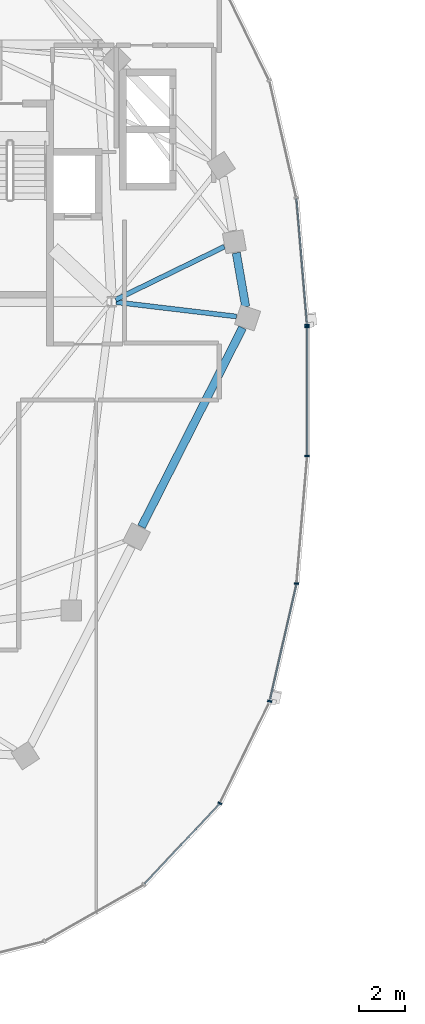
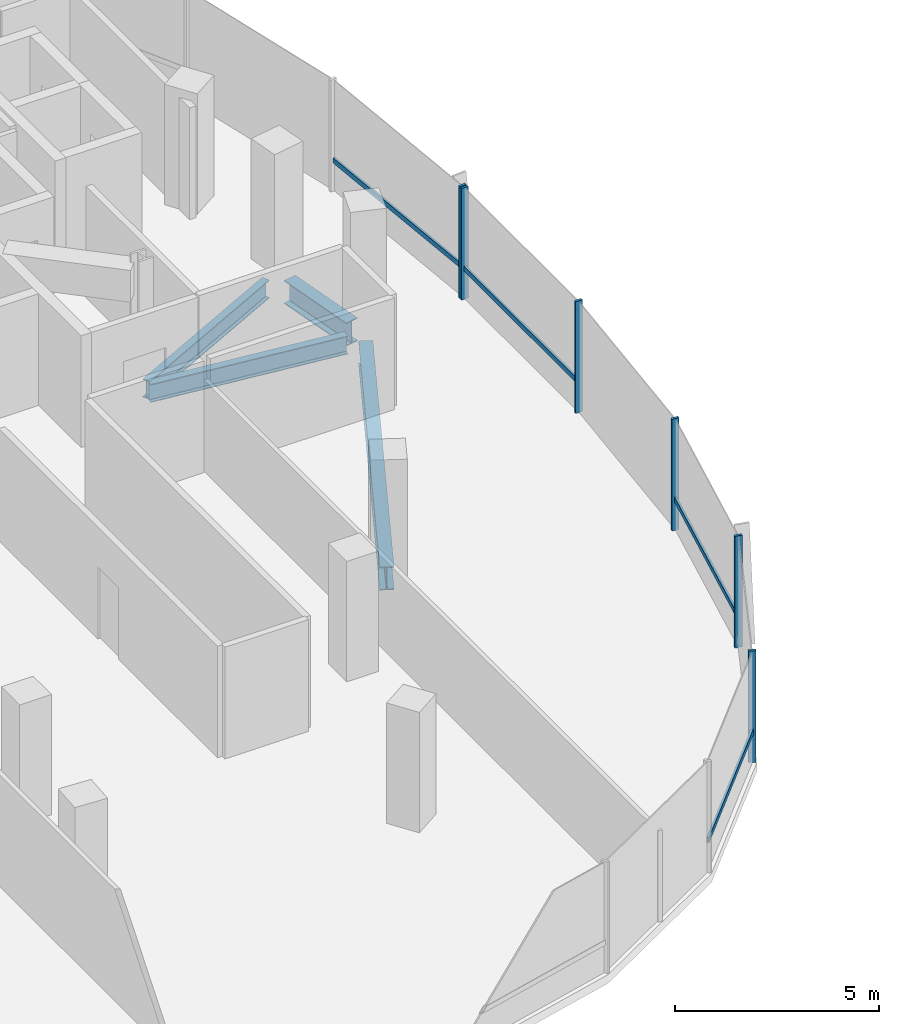
# One storey, part 5 of 25: 10 members, 4 beams, 2 elements without a shape of their own.
"""IFC4 building model written with IfcOpenShell, lengths in metres."""

from ifc_helpers import new_model, si_unit, direction, frame, origin, origin_2d, place, context, subcontext, project, spatial, rectangle, i_section, extrude, material, material_profile, profile_set, type_object, element, aggregate, save


model = new_model("IFC4")

# Units and contexts
model_context = context("Model", 3, precision=1e-05, world=origin(), true_north=direction((0.0, 1.0)))
body_context = subcontext(model_context, "Body", "Model", "MODEL_VIEW")
ifc_project = project(units=[si_unit("LENGTHUNIT", "METRE"), si_unit("AREAUNIT", "SQUARE_METRE"), si_unit("VOLUMEUNIT", "CUBIC_METRE"), si_unit("PLANEANGLEUNIT", "RADIAN"), si_unit("MASSUNIT", "GRAM", prefix="KILO"), si_unit("THERMODYNAMICTEMPERATUREUNIT", "KELVIN"), si_unit("POWERUNIT", "WATT")], contexts=[model_context])

# Site, building, storey
site_placement = place(None, origin())
site = spatial("IfcSite", under=ifc_project, at=site_placement, CompositionType="ELEMENT")
building_placement = place(site_placement, origin())
building = spatial("IfcBuilding", under=site, at=building_placement, Name="Cundina Bronze Exchange", CompositionType="ELEMENT")
storey_placement = place(building_placement, frame((0.0, 0.0, 191.800048828125)))
storey = spatial("IfcBuildingStorey", under=building, at=storey_placement, Name="L50", CompositionType="ELEMENT", Elevation=191.800048828125)

# Beams
ifc_material_1 = material(Name="Steel ASTM A992 Grade 50", Category="steel")
ifc_material_profile_1 = material_profile(ifc_material_1, i_section(OverallWidth=0.2119140625, OverallDepth=0.5439453125, WebThickness=0.01318359375, FlangeThickness=0.021240234375, FilletRadius=0.013916015625, at=origin_2d()), Name="W21X83", Category="steel")
ifc_profile_set_1 = profile_set([ifc_material_profile_1], Name="Steel ASTM A992 Grade 50")
beam_type_1 = type_object("IfcBeamType", Name="BM-FLR-W21A", PredefinedType="BEAM", material=ifc_profile_set_1)
beam_1_placement = place(storey_placement, frame((-21.25537109375, 3.876953125, -0.531982421875), z_axis=(0.993035696545, -0.11781385906, 0.0), x_axis=(0.11781385906, 0.993035696545, 0.0)))
element("IfcBeam", 1, at=beam_1_placement, inside=storey, type_object=beam_type_1, Name="L50 Leg W Radial Floor Beam 00", PredefinedType="BEAM", context=body_context, shape_type="SweptSolid", body=[
    extrude(i_section(OverallWidth=0.2119140625, OverallDepth=0.5439453125, WebThickness=0.01318359375, FlangeThickness=0.021240234375, FilletRadius=0.013916015625, at=origin_2d()), origin(), (0.0, 0.0, 1.0), 5.25732421875),
])
beam_2_placement = place(storey_placement, frame((-21.27392578125, 3.986083984375, -0.531982421875), z_axis=(0.898616200552, 0.438735597035, 0.0), x_axis=(-0.438735597035, 0.898616200552, 0.0)))
element("IfcBeam", 2, at=beam_2_placement, inside=storey, type_object=beam_type_1, Name="L50 Leg W Radial Floor Beam 01", PredefinedType="BEAM", context=body_context, shape_type="SweptSolid", body=[
    extrude(i_section(OverallWidth=0.2119140625, OverallDepth=0.5439453125, WebThickness=0.01318359375, FlangeThickness=0.021240234375, FilletRadius=0.013916015625, at=origin_2d()), origin(), (0.0, 0.0, 1.0), 5.241943359375),
])
ifc_material_profile_2 = material_profile(ifc_material_1, i_section(OverallWidth=0.35498046875, OverallDepth=0.695068359375, WebThickness=0.015380859375, FlangeThickness=0.02490234375, FilletRadius=0.01806640625, at=origin_2d()), Name="W27X146", Category="steel")
ifc_profile_set_2 = profile_set([ifc_material_profile_2], Name="Steel ASTM A992 Grade 50")
beam_type_2 = type_object("IfcBeamType", Name="BM-RING-W27", PredefinedType="USERDEFINED", material=ifc_profile_set_2)
beam_3_placement = place(storey_placement, frame((-15.6337890625, 3.680908203125, -0.607666015625), z_axis=(-0.171666718895, 0.985155083032, 0.0), x_axis=(-0.985155083032, -0.171666718895, 0.0)))
element("IfcBeam", 3, at=beam_3_placement, inside=storey, type_object=beam_type_2, Name="L50 W Perimeter Ring Girder 00", ObjectType="GIRDER", PredefinedType="USERDEFINED", context=body_context, shape_type="SweptSolid", body=[
    extrude(i_section(OverallWidth=0.35498046875, OverallDepth=0.695068359375, WebThickness=0.015380859375, FlangeThickness=0.02490234375, FilletRadius=0.01806640625, at=origin_2d()), origin(), (0.0, 0.0, 1.0), 2.37353515625),
])
beam_4_placement = place(storey_placement, frame((-20.154052734375, -5.864990234375, -0.607666015625), z_axis=(0.452834585354, 0.891594548159, 0.0), x_axis=(-0.891594548159, 0.452834585354, 0.0)))
element("IfcBeam", 4, at=beam_4_placement, inside=storey, type_object=beam_type_2, Name="L50 W Perimeter Ring Girder 13", ObjectType="GIRDER", PredefinedType="USERDEFINED", context=body_context, shape_type="SweptSolid", body=[
    extrude(i_section(OverallWidth=0.35498046875, OverallDepth=0.695068359375, WebThickness=0.015380859375, FlangeThickness=0.02490234375, FilletRadius=0.01806640625, at=origin_2d()), origin(), (0.0, 0.0, 1.0), 9.67919921875),
])

# Curtain wall, member
ifc_material_2 = material(Name="Anodised Bronze Aluminium 6063-T6", Category="aluminium")
curtain_wall_type = type_object("IfcCurtainWallType", Name="CWS-UPP-OFF", PredefinedType="NOTDEFINED", material=ifc_material_2)
curtain_wall_1_placement = place(storey_placement, origin())
curtain_wall_1 = element("IfcCurtainWall", 5, at=curtain_wall_1_placement, inside=storey, type_object=curtain_wall_type, Name="L50 CW-05 Curtain Wall Run CWR-L50-W1", PredefinedType="NOTDEFINED")
ifc_material_profile_3 = material_profile(ifc_material_2, rectangle(XDim=0.070068359375, YDim=0.18994140625, at=origin_2d()), Name="AL70X190", Category="aluminium")
ifc_profile_set_3 = profile_set([ifc_material_profile_3], Name="Anodised Bronze Aluminium 6063-T6")
member_type_1 = type_object("IfcMemberType", Name="CWM-MUL-190", PredefinedType="MULLION", material=ifc_profile_set_3)
member_1_placement = place(storey_placement, frame((-12.9697265625, 2.88330078125, 0.0), z_axis=(0.0, 0.0, 1.0), x_axis=(-0.083677843332, 0.99649285925, 0.0)))
member_1 = element("IfcMember", 6, at=member_1_placement, type_object=member_type_1, Name="CW-05 Mullion 1", PredefinedType="MULLION", context=body_context, shape_type="SweptSolid", body=[
    extrude(rectangle(XDim=0.070068359375, YDim=0.18994140625, at=origin_2d()), origin(), (0.0, 0.0, 1.0), 3.33984375),
])

# Curtain wall, members
curtain_wall_2_placement = place(storey_placement, origin())
curtain_wall_2 = element("IfcCurtainWall", 7, at=curtain_wall_2_placement, inside=storey, type_object=curtain_wall_type, Name="L50 CW-05 Curtain Wall Run CWR-L50-W4", PredefinedType="NOTDEFINED")
member_2_placement = place(storey_placement, frame((-16.754638671875, -17.866455078125, 0.0), z_axis=(0.0, 0.0, 1.0), x_axis=(0.440566004113, 0.897720221461, 0.0)))
member_2 = element("IfcMember", 8, at=member_2_placement, type_object=member_type_1, Name="CW-05 Mullion 4", PredefinedType="MULLION", context=body_context, shape_type="SweptSolid", body=[
    extrude(rectangle(XDim=0.070068359375, YDim=0.18994140625, at=origin_2d()), origin(), (0.0, 0.0, 1.0), 3.33984375),
])
member_3_placement = place(storey_placement, frame((-14.59228515625, -13.440673828125, 0.0), z_axis=(0.0, 0.0, 1.0), x_axis=(0.223250116011, 0.974761194191, 0.0)))
member_3 = element("IfcMember", 9, at=member_3_placement, type_object=member_type_1, Name="CW-05 Mullion 5", PredefinedType="MULLION", context=body_context, shape_type="SweptSolid", body=[
    extrude(rectangle(XDim=0.070068359375, YDim=0.18994140625, at=origin_2d()), origin(), (0.0, 0.0, 1.0), 3.33984375),
])
member_4_placement = place(storey_placement, frame((-13.427490234375, -8.33056640625, 0.0), z_axis=(0.0, 0.0, 1.0), x_axis=(0.083677843332, 0.99649285925, 0.0)))
member_4 = element("IfcMember", 10, at=member_4_placement, type_object=member_type_1, Name="CW-05 Mullion 6", PredefinedType="MULLION", context=body_context, shape_type="SweptSolid", body=[
    extrude(rectangle(XDim=0.070068359375, YDim=0.18994140625, at=origin_2d()), origin(), (0.0, 0.0, 1.0), 3.33984375),
])
member_5_placement = place(storey_placement, frame((-12.966064453125, -2.794921875, 0.0), z_axis=(0.0, 0.0, 1.0), x_axis=(0.0, 1.0, 0.0)))
member_5 = element("IfcMember", 11, at=member_5_placement, type_object=member_type_1, Name="CW-05 Mullion 7", PredefinedType="MULLION", context=body_context, shape_type="SweptSolid", body=[
    extrude(rectangle(XDim=0.070068359375, YDim=0.18994140625, at=origin_2d()), origin(), (0.0, 0.0, 1.0), 3.33984375),
])
member_6_placement = place(storey_placement, frame((-12.966064453125, 2.794921875, 0.0), z_axis=(0.0, 0.0, 1.0), x_axis=(0.0, 1.0, 0.0)))
member_6 = element("IfcMember", 12, at=member_6_placement, type_object=member_type_1, Name="CW-05 End Mullion", PredefinedType="MULLION", context=body_context, shape_type="SweptSolid", body=[
    extrude(rectangle(XDim=0.070068359375, YDim=0.18994140625, at=origin_2d()), origin(), (0.0, 0.0, 1.0), 3.33984375),
])

# Member
ifc_material_profile_4 = material_profile(ifc_material_2, rectangle(XDim=0.06494140625, YDim=0.14990234375, at=origin_2d()), Name="AL65X150", Category="aluminium")
ifc_profile_set_4 = profile_set([ifc_material_profile_4], Name="Anodised Bronze Aluminium 6063-T6")
member_type_2 = type_object("IfcMemberType", Name="CWM-TRN-150", PredefinedType="USERDEFINED", material=ifc_profile_set_4)
member_7_placement = place(storey_placement, frame((-12.972900390625, 2.921630859375, 0.919921875), z_axis=(-0.083740331158, 0.996487610027, 0.0), x_axis=(-0.996487610027, -0.083740331158, 0.0)))
member_7 = element("IfcMember", 13, at=member_7_placement, type_object=member_type_2, Name="CW-05 Spandrel Transom 1", ObjectType="TRANSOM", PredefinedType="USERDEFINED", context=body_context, shape_type="SweptSolid", body=[
    extrude(rectangle(XDim=0.06494140625, YDim=0.14990234375, at=origin_2d()), origin(), (0.0, 0.0, 1.0), 5.466552734375),
])

aggregate(curtain_wall_1, [member_1, member_7])

member_8_placement = place(storey_placement, frame((-20.02490234375, -21.364501953125, 0.919921875), z_axis=(0.684336416554, 0.729166420633, 0.0), x_axis=(-0.729166420633, 0.684336416554, 0.0)))
member_8 = element("IfcMember", 14, at=member_8_placement, type_object=member_type_2, Name="CW-05 Spandrel Transom 3", ObjectType="TRANSOM", PredefinedType="USERDEFINED", context=body_context, shape_type="SweptSolid", body=[
    extrude(rectangle(XDim=0.06494140625, YDim=0.14990234375, at=origin_2d()), origin(), (0.0, 0.0, 1.0), 4.76513671875),
])

member_9_placement = place(storey_placement, frame((-14.58349609375, -13.403076171875, 0.919921875), z_axis=(0.22328343579, 0.974753562344, 0.0), x_axis=(-0.974753562344, 0.22328343579, 0.0)))
member_9 = element("IfcMember", 15, at=member_9_placement, type_object=member_type_2, Name="CW-05 Spandrel Transom 5", ObjectType="TRANSOM", PredefinedType="USERDEFINED", context=body_context, shape_type="SweptSolid", body=[
    extrude(rectangle(XDim=0.06494140625, YDim=0.14990234375, at=origin_2d()), origin(), (0.0, 0.0, 1.0), 5.159912109375),
])

member_10_placement = place(storey_placement, frame((-12.966064453125, -2.756591796875, 0.919921875), z_axis=(0.0, 1.0, 0.0), x_axis=(-1.0, 0.0, 0.0)))
member_10 = element("IfcMember", 16, at=member_10_placement, type_object=member_type_2, Name="CW-05 Spandrel Transom 7", ObjectType="TRANSOM", PredefinedType="USERDEFINED", context=body_context, shape_type="SweptSolid", body=[
    extrude(rectangle(XDim=0.06494140625, YDim=0.14990234375, at=origin_2d()), origin(), (0.0, 0.0, 1.0), 5.51318359375),
])

aggregate(curtain_wall_2, [member_8, member_2, member_3, member_9, member_4, member_5, member_6, member_10])

save(model, "model.ifc")
